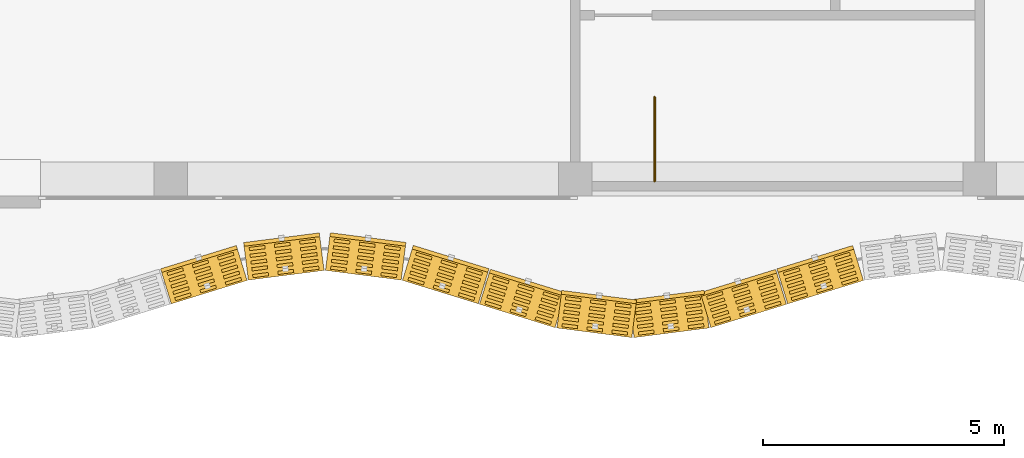
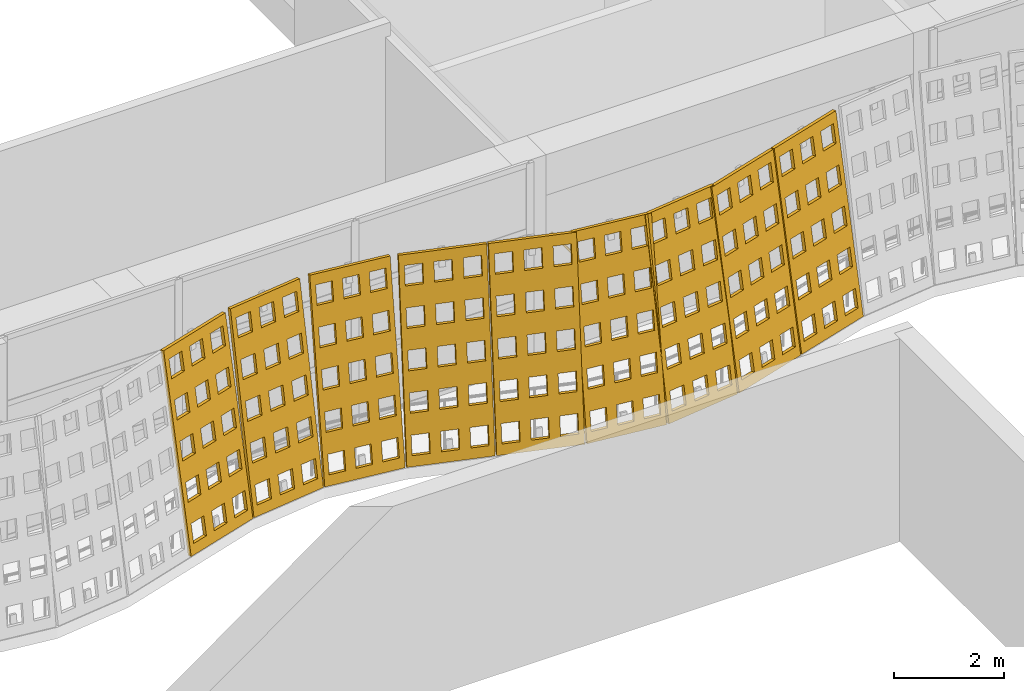
# One storey, part 149 of 162: 9 coverings, 1 railing.
"""IFC4 building model written with IfcOpenShell, lengths in metres."""

from ifc_helpers import new_model, si_unit, direction, frame, origin, origin_2d, place, context, subcontext, project, spatial, polyline, circle, outline, extrude, material, layer, layer_set, type_object, element, save


model = new_model("IFC4")

# Units and contexts
model_context = context("Model", 3, precision=1e-05, world=origin(), true_north=direction((0.0, 1.0)))
body_context = subcontext(model_context, "Body", "Model", "MODEL_VIEW")
ifc_project = project(units=[si_unit("LENGTHUNIT", "METRE"), si_unit("AREAUNIT", "SQUARE_METRE"), si_unit("VOLUMEUNIT", "CUBIC_METRE"), si_unit("PLANEANGLEUNIT", "RADIAN"), si_unit("MASSUNIT", "GRAM", prefix="KILO")], contexts=[model_context])

# Site, building, storey
site_placement = place(None, origin())
site = spatial("IfcSite", under=ifc_project, at=site_placement, CompositionType="ELEMENT")
building_placement = place(site_placement, origin())
building = spatial("IfcBuilding", under=site, at=building_placement, Name="Rain Tree Exposition and Congress Centre", CompositionType="ELEMENT")
storey_placement = place(building_placement, frame((0.0, 0.0, 6.0)))
storey = spatial("IfcBuildingStorey", under=building, at=storey_placement, Name="L01", CompositionType="ELEMENT", Elevation=6.0)

# Railing
ifc_material_1 = material(Name="Aluminium and glass balustrade", Category="aluminium")
railing_type = type_object("IfcRailingType", Name="Concourse guard 1100", PredefinedType="GUARDRAIL", material=ifc_material_1)
railing_placement = place(storey_placement, frame((211.64990234375, 75.550048828125, 0.0)))
element("IfcRailing", 1, at=railing_placement, inside=storey, type_object=railing_type, Name="L01 ST-C5 top well guard 1", PredefinedType="GUARDRAIL", context=body_context, shape_type="SweptSolid", body=[
    extrude(circle(Radius=0.02392578125, at=origin_2d()), frame((0.0, 0.0, 1.076171875), z_axis=(0.0, 1.0, 0.0), x_axis=(-1.0, 0.0, 0.0)), (0.0, 0.0, 1.0), 1.75),
    extrude(circle(Radius=0.02099609375, at=origin_2d()), origin(), (0.0, 0.0, 1.0), 1.052001953125),
    extrude(circle(Radius=0.02099609375, at=origin_2d()), frame((0.0, 0.875, 0.0)), (0.0, 0.0, 1.0), 1.052001953125),
    extrude(circle(Radius=0.02099609375, at=origin_2d()), frame((0.0, 1.75, 0.0)), (0.0, 0.0, 1.0), 1.052001953125),
])

# Coverings
ifc_material_2 = material(Name="Perforated terracotta", Category="masonry")
ifc_layer = layer(ifc_material_2, 0.080078125)
ifc_layer_set = layer_set([ifc_layer], Name="Perforated terracotta")
covering_type = type_object("IfcCoveringType", Name="Terracotta screen 80", PredefinedType="CLADDING", material=ifc_layer_set)
covering_1_placement = place(storey_placement, frame((201.599365234375, 73.001708984375, 0.0126953125), z_axis=(-0.290138898064, 0.943714942124, -0.158812870519), x_axis=(-0.955845867297, -0.293868470528, 0.0)))
element("IfcCovering", 2, at=covering_1_placement, inside=storey, type_object=covering_type, Name="concourse/screen/L01/127", PredefinedType="CLADDING", context=body_context, shape_type="SweptSolid", body=[
    extrude(outline(polyline([(-1.659912109375, 0.0), (-1.659912109375, 4.29150390625), (-0.014892578125, 4.29150390625), (-0.014892578125, 0.0), (-1.659912109375, 0.0)]), holes=[polyline([(-0.119140625, 0.221435546875), (-0.119140625, 0.63671875), (-0.458984375, 0.63671875), (-0.458984375, 0.221435546875), (-0.119140625, 0.221435546875)]), polyline([(-0.119140625, 1.079833984375), (-0.119140625, 1.4951171875), (-0.458984375, 1.4951171875), (-0.458984375, 1.079833984375), (-0.119140625, 1.079833984375)]), polyline([(-0.119140625, 1.93798828125), (-0.119140625, 2.353271484375), (-0.458984375, 2.353271484375), (-0.458984375, 1.93798828125), (-0.119140625, 1.93798828125)]), polyline([(-0.119140625, 2.79638671875), (-0.119140625, 3.211669921875), (-0.458984375, 3.211669921875), (-0.458984375, 2.79638671875), (-0.119140625, 2.79638671875)]), polyline([(-0.119140625, 3.654541015625), (-0.119140625, 4.06982421875), (-0.458984375, 4.06982421875), (-0.458984375, 3.654541015625), (-0.119140625, 3.654541015625)]), polyline([(-0.66748046875, 0.221435546875), (-0.66748046875, 0.63671875), (-1.00732421875, 0.63671875), (-1.00732421875, 0.221435546875), (-0.66748046875, 0.221435546875)]), polyline([(-0.66748046875, 1.079833984375), (-0.66748046875, 1.4951171875), (-1.00732421875, 1.4951171875), (-1.00732421875, 1.079833984375), (-0.66748046875, 1.079833984375)]), polyline([(-0.66748046875, 1.93798828125), (-0.66748046875, 2.353271484375), (-1.00732421875, 2.353271484375), (-1.00732421875, 1.93798828125), (-0.66748046875, 1.93798828125)]), polyline([(-0.66748046875, 2.79638671875), (-0.66748046875, 3.211669921875), (-1.00732421875, 3.211669921875), (-1.00732421875, 2.79638671875), (-0.66748046875, 2.79638671875)]), polyline([(-0.66748046875, 3.654541015625), (-0.66748046875, 4.06982421875), (-1.00732421875, 4.06982421875), (-1.00732421875, 3.654541015625), (-0.66748046875, 3.654541015625)]), polyline([(-1.2158203125, 0.221435546875), (-1.2158203125, 0.63671875), (-1.5556640625, 0.63671875), (-1.5556640625, 0.221435546875), (-1.2158203125, 0.221435546875)]), polyline([(-1.2158203125, 1.079833984375), (-1.2158203125, 1.4951171875), (-1.5556640625, 1.4951171875), (-1.5556640625, 1.079833984375), (-1.2158203125, 1.079833984375)]), polyline([(-1.2158203125, 1.93798828125), (-1.2158203125, 2.353271484375), (-1.5556640625, 2.353271484375), (-1.5556640625, 1.93798828125), (-1.2158203125, 1.93798828125)]), polyline([(-1.2158203125, 2.79638671875), (-1.2158203125, 3.211669921875), (-1.5556640625, 3.211669921875), (-1.5556640625, 2.79638671875), (-1.2158203125, 2.79638671875)]), polyline([(-1.2158203125, 3.654541015625), (-1.2158203125, 4.06982421875), (-1.5556640625, 4.06982421875), (-1.5556640625, 3.654541015625), (-1.2158203125, 3.654541015625)])]), origin(), (0.0, 0.0, 1.0), 0.079833984375),
])
covering_2_placement = place(storey_placement, frame((203.19970703125, 73.496826171875, 0.01318359375), z_axis=(-0.124968640969, 0.978413018317, -0.164592844203), x_axis=(-0.991941518713, -0.126696580272, 0.0)))
element("IfcCovering", 3, at=covering_2_placement, inside=storey, type_object=covering_type, Name="concourse/screen/L01/128", PredefinedType="CLADDING", context=body_context, shape_type="SweptSolid", body=[
    extrude(outline(polyline([(-1.59814453125, 0.0), (-1.59814453125, 4.295166015625), (-0.014892578125, 4.295166015625), (-0.014892578125, 0.0), (-1.59814453125, 0.0)]), holes=[polyline([(-0.115234375, 0.2216796875), (-0.115234375, 0.63720703125), (-0.4423828125, 0.63720703125), (-0.4423828125, 0.2216796875), (-0.115234375, 0.2216796875)]), polyline([(-0.115234375, 1.080810546875), (-0.115234375, 1.496337890625), (-0.4423828125, 1.496337890625), (-0.4423828125, 1.080810546875), (-0.115234375, 1.080810546875)]), polyline([(-0.115234375, 1.939697265625), (-0.115234375, 2.35546875), (-0.4423828125, 2.35546875), (-0.4423828125, 1.939697265625), (-0.115234375, 1.939697265625)]), polyline([(-0.115234375, 2.798583984375), (-0.115234375, 3.21435546875), (-0.4423828125, 3.21435546875), (-0.4423828125, 2.798583984375), (-0.115234375, 2.798583984375)]), polyline([(-0.115234375, 3.65771484375), (-0.115234375, 4.073486328125), (-0.4423828125, 4.073486328125), (-0.4423828125, 3.65771484375), (-0.115234375, 3.65771484375)]), polyline([(-0.64306640625, 0.2216796875), (-0.64306640625, 0.63720703125), (-0.97021484375, 0.63720703125), (-0.97021484375, 0.2216796875), (-0.64306640625, 0.2216796875)]), polyline([(-0.64306640625, 1.080810546875), (-0.64306640625, 1.496337890625), (-0.97021484375, 1.496337890625), (-0.97021484375, 1.080810546875), (-0.64306640625, 1.080810546875)]), polyline([(-0.64306640625, 1.939697265625), (-0.64306640625, 2.35546875), (-0.97021484375, 2.35546875), (-0.97021484375, 1.939697265625), (-0.64306640625, 1.939697265625)]), polyline([(-0.64306640625, 2.798583984375), (-0.64306640625, 3.21435546875), (-0.97021484375, 3.21435546875), (-0.97021484375, 2.798583984375), (-0.64306640625, 2.798583984375)]), polyline([(-0.64306640625, 3.65771484375), (-0.64306640625, 4.073486328125), (-0.97021484375, 4.073486328125), (-0.97021484375, 3.65771484375), (-0.64306640625, 3.65771484375)]), polyline([(-1.170654296875, 0.2216796875), (-1.170654296875, 0.63720703125), (-1.497802734375, 0.63720703125), (-1.497802734375, 0.2216796875), (-1.170654296875, 0.2216796875)]), polyline([(-1.170654296875, 1.080810546875), (-1.170654296875, 1.496337890625), (-1.497802734375, 1.496337890625), (-1.497802734375, 1.080810546875), (-1.170654296875, 1.080810546875)]), polyline([(-1.170654296875, 1.939697265625), (-1.170654296875, 2.35546875), (-1.497802734375, 2.35546875), (-1.497802734375, 1.939697265625), (-1.170654296875, 1.939697265625)]), polyline([(-1.170654296875, 2.798583984375), (-1.170654296875, 3.21435546875), (-1.497802734375, 3.21435546875), (-1.497802734375, 2.798583984375), (-1.170654296875, 2.798583984375)]), polyline([(-1.170654296875, 3.65771484375), (-1.170654296875, 4.073486328125), (-1.497802734375, 4.073486328125), (-1.497802734375, 3.65771484375), (-1.170654296875, 3.65771484375)])]), origin(), (0.0, 0.0, 1.0), 0.080078125),
])
covering_3_placement = place(storey_placement, frame((204.80029296875, 73.701904296875, 0.01318359375), z_axis=(0.125342414455, 0.978282259159, -0.165085131233), x_axis=(-0.991891686382, 0.127086122318, 0.0)))
element("IfcCovering", 4, at=covering_3_placement, inside=storey, type_object=covering_type, Name="concourse/screen/L01/129", PredefinedType="CLADDING", context=body_context, shape_type="SweptSolid", body=[
    extrude(outline(polyline([(-1.59814453125, 0.0), (-1.59814453125, 4.295166015625), (-0.014892578125, 4.295166015625), (-0.014892578125, 0.0), (-1.59814453125, 0.0)]), holes=[polyline([(-0.115234375, 0.2216796875), (-0.115234375, 0.63720703125), (-0.4423828125, 0.63720703125), (-0.4423828125, 0.2216796875), (-0.115234375, 0.2216796875)]), polyline([(-0.115234375, 1.080810546875), (-0.115234375, 1.496337890625), (-0.4423828125, 1.496337890625), (-0.4423828125, 1.080810546875), (-0.115234375, 1.080810546875)]), polyline([(-0.115234375, 1.939697265625), (-0.115234375, 2.35546875), (-0.4423828125, 2.35546875), (-0.4423828125, 1.939697265625), (-0.115234375, 1.939697265625)]), polyline([(-0.115234375, 2.798583984375), (-0.115234375, 3.21435546875), (-0.4423828125, 3.21435546875), (-0.4423828125, 2.798583984375), (-0.115234375, 2.798583984375)]), polyline([(-0.115234375, 3.65771484375), (-0.115234375, 4.073486328125), (-0.4423828125, 4.073486328125), (-0.4423828125, 3.65771484375), (-0.115234375, 3.65771484375)]), polyline([(-0.64306640625, 0.2216796875), (-0.64306640625, 0.63720703125), (-0.97021484375, 0.63720703125), (-0.97021484375, 0.2216796875), (-0.64306640625, 0.2216796875)]), polyline([(-0.64306640625, 1.080810546875), (-0.64306640625, 1.496337890625), (-0.97021484375, 1.496337890625), (-0.97021484375, 1.080810546875), (-0.64306640625, 1.080810546875)]), polyline([(-0.64306640625, 1.939697265625), (-0.64306640625, 2.35546875), (-0.97021484375, 2.35546875), (-0.97021484375, 1.939697265625), (-0.64306640625, 1.939697265625)]), polyline([(-0.64306640625, 2.798583984375), (-0.64306640625, 3.21435546875), (-0.97021484375, 3.21435546875), (-0.97021484375, 2.798583984375), (-0.64306640625, 2.798583984375)]), polyline([(-0.64306640625, 3.65771484375), (-0.64306640625, 4.073486328125), (-0.97021484375, 4.073486328125), (-0.97021484375, 3.65771484375), (-0.64306640625, 3.65771484375)]), polyline([(-1.170654296875, 0.2216796875), (-1.170654296875, 0.63720703125), (-1.497802734375, 0.63720703125), (-1.497802734375, 0.2216796875), (-1.170654296875, 0.2216796875)]), polyline([(-1.170654296875, 1.080810546875), (-1.170654296875, 1.496337890625), (-1.497802734375, 1.496337890625), (-1.497802734375, 1.080810546875), (-1.170654296875, 1.080810546875)]), polyline([(-1.170654296875, 1.939697265625), (-1.170654296875, 2.35546875), (-1.497802734375, 2.35546875), (-1.497802734375, 1.939697265625), (-1.170654296875, 1.939697265625)]), polyline([(-1.170654296875, 2.798583984375), (-1.170654296875, 3.21435546875), (-1.497802734375, 3.21435546875), (-1.497802734375, 2.798583984375), (-1.170654296875, 2.798583984375)]), polyline([(-1.170654296875, 3.65771484375), (-1.170654296875, 4.073486328125), (-1.497802734375, 4.073486328125), (-1.497802734375, 3.65771484375), (-1.170654296875, 3.65771484375)])]), origin(), (0.0, 0.0, 1.0), 0.079833984375),
])
covering_4_placement = place(storey_placement, frame((206.400634765625, 73.49658203125, 0.0126953125), z_axis=(0.290138898064, 0.943714942124, -0.158812870519), x_axis=(-0.955845867297, 0.293868470528, 0.0)))
element("IfcCovering", 5, at=covering_4_placement, inside=storey, type_object=covering_type, Name="concourse/screen/L01/130", PredefinedType="CLADDING", context=body_context, shape_type="SweptSolid", body=[
    extrude(outline(polyline([(-1.659912109375, 0.0), (-1.659912109375, 4.29150390625), (-0.014892578125, 4.29150390625), (-0.014892578125, 0.0), (-1.659912109375, 0.0)]), holes=[polyline([(-0.119140625, 0.221435546875), (-0.119140625, 0.63671875), (-0.458984375, 0.63671875), (-0.458984375, 0.221435546875), (-0.119140625, 0.221435546875)]), polyline([(-0.119140625, 1.079833984375), (-0.119140625, 1.4951171875), (-0.458984375, 1.4951171875), (-0.458984375, 1.079833984375), (-0.119140625, 1.079833984375)]), polyline([(-0.119140625, 1.93798828125), (-0.119140625, 2.353271484375), (-0.458984375, 2.353271484375), (-0.458984375, 1.93798828125), (-0.119140625, 1.93798828125)]), polyline([(-0.119140625, 2.79638671875), (-0.119140625, 3.211669921875), (-0.458984375, 3.211669921875), (-0.458984375, 2.79638671875), (-0.119140625, 2.79638671875)]), polyline([(-0.119140625, 3.654541015625), (-0.119140625, 4.06982421875), (-0.458984375, 4.06982421875), (-0.458984375, 3.654541015625), (-0.119140625, 3.654541015625)]), polyline([(-0.66748046875, 0.221435546875), (-0.66748046875, 0.63671875), (-1.00732421875, 0.63671875), (-1.00732421875, 0.221435546875), (-0.66748046875, 0.221435546875)]), polyline([(-0.66748046875, 1.079833984375), (-0.66748046875, 1.4951171875), (-1.00732421875, 1.4951171875), (-1.00732421875, 1.079833984375), (-0.66748046875, 1.079833984375)]), polyline([(-0.66748046875, 1.93798828125), (-0.66748046875, 2.353271484375), (-1.00732421875, 2.353271484375), (-1.00732421875, 1.93798828125), (-0.66748046875, 1.93798828125)]), polyline([(-0.66748046875, 2.79638671875), (-0.66748046875, 3.211669921875), (-1.00732421875, 3.211669921875), (-1.00732421875, 2.79638671875), (-0.66748046875, 2.79638671875)]), polyline([(-0.66748046875, 3.654541015625), (-0.66748046875, 4.06982421875), (-1.00732421875, 4.06982421875), (-1.00732421875, 3.654541015625), (-0.66748046875, 3.654541015625)]), polyline([(-1.2158203125, 0.221435546875), (-1.2158203125, 0.63671875), (-1.5556640625, 0.63671875), (-1.5556640625, 0.221435546875), (-1.2158203125, 0.221435546875)]), polyline([(-1.2158203125, 1.079833984375), (-1.2158203125, 1.4951171875), (-1.5556640625, 1.4951171875), (-1.5556640625, 1.079833984375), (-1.2158203125, 1.079833984375)]), polyline([(-1.2158203125, 1.93798828125), (-1.2158203125, 2.353271484375), (-1.5556640625, 2.353271484375), (-1.5556640625, 1.93798828125), (-1.2158203125, 1.93798828125)]), polyline([(-1.2158203125, 2.79638671875), (-1.2158203125, 3.211669921875), (-1.5556640625, 3.211669921875), (-1.5556640625, 2.79638671875), (-1.2158203125, 2.79638671875)]), polyline([(-1.2158203125, 3.654541015625), (-1.2158203125, 4.06982421875), (-1.5556640625, 4.06982421875), (-1.5556640625, 3.654541015625), (-1.2158203125, 3.654541015625)])]), origin(), (0.0, 0.0, 1.0), 0.079833984375),
])
covering_5_placement = place(storey_placement, frame((208.00048828125, 73.001708984375, 0.0126953125), z_axis=(0.292932171154, 0.942875425902, -0.158671592708), x_axis=(-0.954973588716, 0.296690823679, 0.0)))
element("IfcCovering", 6, at=covering_5_placement, inside=storey, type_object=covering_type, Name="concourse/screen/L01/131", PredefinedType="CLADDING", context=body_context, shape_type="SweptSolid", body=[
    extrude(outline(polyline([(-1.65283203125, 0.0), (-1.65283203125, 4.29150390625), (-0.014892578125, 4.29150390625), (-0.014892578125, 0.0), (-1.65283203125, 0.0)]), holes=[polyline([(-0.11865234375, 0.221435546875), (-0.11865234375, 0.63671875), (-0.457275390625, 0.63671875), (-0.457275390625, 0.221435546875), (-0.11865234375, 0.221435546875)]), polyline([(-0.11865234375, 1.079833984375), (-0.11865234375, 1.4951171875), (-0.457275390625, 1.4951171875), (-0.457275390625, 1.079833984375), (-0.11865234375, 1.079833984375)]), polyline([(-0.11865234375, 1.93798828125), (-0.11865234375, 2.353271484375), (-0.457275390625, 2.353271484375), (-0.457275390625, 1.93798828125), (-0.11865234375, 1.93798828125)]), polyline([(-0.11865234375, 2.79638671875), (-0.11865234375, 3.211669921875), (-0.457275390625, 3.211669921875), (-0.457275390625, 2.79638671875), (-0.11865234375, 2.79638671875)]), polyline([(-0.11865234375, 3.654541015625), (-0.11865234375, 4.06982421875), (-0.457275390625, 4.06982421875), (-0.457275390625, 3.654541015625), (-0.11865234375, 3.654541015625)]), polyline([(-0.664794921875, 0.221435546875), (-0.664794921875, 0.63671875), (-1.003173828125, 0.63671875), (-1.003173828125, 0.221435546875), (-0.664794921875, 0.221435546875)]), polyline([(-0.664794921875, 1.079833984375), (-0.664794921875, 1.4951171875), (-1.003173828125, 1.4951171875), (-1.003173828125, 1.079833984375), (-0.664794921875, 1.079833984375)]), polyline([(-0.664794921875, 1.93798828125), (-0.664794921875, 2.353271484375), (-1.003173828125, 2.353271484375), (-1.003173828125, 1.93798828125), (-0.664794921875, 1.93798828125)]), polyline([(-0.664794921875, 2.79638671875), (-0.664794921875, 3.211669921875), (-1.003173828125, 3.211669921875), (-1.003173828125, 2.79638671875), (-0.664794921875, 2.79638671875)]), polyline([(-0.664794921875, 3.654541015625), (-0.664794921875, 4.06982421875), (-1.003173828125, 4.06982421875), (-1.003173828125, 3.654541015625), (-0.664794921875, 3.654541015625)]), polyline([(-1.210693359375, 0.221435546875), (-1.210693359375, 0.63671875), (-1.54931640625, 0.63671875), (-1.54931640625, 0.221435546875), (-1.210693359375, 0.221435546875)]), polyline([(-1.210693359375, 1.079833984375), (-1.210693359375, 1.4951171875), (-1.54931640625, 1.4951171875), (-1.54931640625, 1.079833984375), (-1.210693359375, 1.079833984375)]), polyline([(-1.210693359375, 1.93798828125), (-1.210693359375, 2.353271484375), (-1.54931640625, 2.353271484375), (-1.54931640625, 1.93798828125), (-1.210693359375, 1.93798828125)]), polyline([(-1.210693359375, 2.79638671875), (-1.210693359375, 3.211669921875), (-1.54931640625, 3.211669921875), (-1.54931640625, 2.79638671875), (-1.210693359375, 2.79638671875)]), polyline([(-1.210693359375, 3.654541015625), (-1.210693359375, 4.06982421875), (-1.54931640625, 4.06982421875), (-1.54931640625, 3.654541015625), (-1.210693359375, 3.654541015625)])]), origin(), (0.0, 0.0, 1.0), 0.080078125),
])
covering_6_placement = place(storey_placement, frame((209.600341796875, 72.5068359375, 0.01318359375), z_axis=(0.124968640969, 0.978413018317, -0.164592844203), x_axis=(-0.991941518713, 0.126696580272, 0.0)))
element("IfcCovering", 7, at=covering_6_placement, inside=storey, type_object=covering_type, Name="concourse/screen/L01/132", PredefinedType="CLADDING", context=body_context, shape_type="SweptSolid", body=[
    extrude(outline(polyline([(-1.587890625, 0.0), (-1.587890625, 4.295166015625), (-0.02197265625, 4.295166015625), (-0.02197265625, 0.0), (-1.587890625, 0.0)]), holes=[polyline([(-0.12109375, 0.2216796875), (-0.12109375, 0.63720703125), (-0.444580078125, 0.63720703125), (-0.444580078125, 0.2216796875), (-0.12109375, 0.2216796875)]), polyline([(-0.12109375, 1.080810546875), (-0.12109375, 1.496337890625), (-0.444580078125, 1.496337890625), (-0.444580078125, 1.080810546875), (-0.12109375, 1.080810546875)]), polyline([(-0.12109375, 1.939697265625), (-0.12109375, 2.35546875), (-0.444580078125, 2.35546875), (-0.444580078125, 1.939697265625), (-0.12109375, 1.939697265625)]), polyline([(-0.12109375, 2.798583984375), (-0.12109375, 3.21435546875), (-0.444580078125, 3.21435546875), (-0.444580078125, 2.798583984375), (-0.12109375, 2.798583984375)]), polyline([(-0.12109375, 3.65771484375), (-0.12109375, 4.073486328125), (-0.444580078125, 4.073486328125), (-0.444580078125, 3.65771484375), (-0.12109375, 3.65771484375)]), polyline([(-0.64306640625, 0.2216796875), (-0.64306640625, 0.63720703125), (-0.966796875, 0.63720703125), (-0.966796875, 0.2216796875), (-0.64306640625, 0.2216796875)]), polyline([(-0.64306640625, 1.080810546875), (-0.64306640625, 1.496337890625), (-0.966796875, 1.496337890625), (-0.966796875, 1.080810546875), (-0.64306640625, 1.080810546875)]), polyline([(-0.64306640625, 1.939697265625), (-0.64306640625, 2.35546875), (-0.966796875, 2.35546875), (-0.966796875, 1.939697265625), (-0.64306640625, 1.939697265625)]), polyline([(-0.64306640625, 2.798583984375), (-0.64306640625, 3.21435546875), (-0.966796875, 3.21435546875), (-0.966796875, 2.798583984375), (-0.64306640625, 2.798583984375)]), polyline([(-0.64306640625, 3.65771484375), (-0.64306640625, 4.073486328125), (-0.966796875, 4.073486328125), (-0.966796875, 3.65771484375), (-0.64306640625, 3.65771484375)]), polyline([(-1.1650390625, 0.2216796875), (-1.1650390625, 0.63720703125), (-1.48876953125, 0.63720703125), (-1.48876953125, 0.2216796875), (-1.1650390625, 0.2216796875)]), polyline([(-1.1650390625, 1.080810546875), (-1.1650390625, 1.496337890625), (-1.48876953125, 1.496337890625), (-1.48876953125, 1.080810546875), (-1.1650390625, 1.080810546875)]), polyline([(-1.1650390625, 1.939697265625), (-1.1650390625, 2.35546875), (-1.48876953125, 2.35546875), (-1.48876953125, 1.939697265625), (-1.1650390625, 1.939697265625)]), polyline([(-1.1650390625, 2.798583984375), (-1.1650390625, 3.21435546875), (-1.48876953125, 3.21435546875), (-1.48876953125, 2.798583984375), (-1.1650390625, 2.798583984375)]), polyline([(-1.1650390625, 3.65771484375), (-1.1650390625, 4.073486328125), (-1.48876953125, 4.073486328125), (-1.48876953125, 3.65771484375), (-1.1650390625, 3.65771484375)])]), origin(), (0.0, 0.0, 1.0), 0.080078125),
])
covering_7_placement = place(storey_placement, frame((211.19970703125, 72.302001953125, 0.01318359375), z_axis=(-0.125342414455, 0.978282259159, -0.165085131233), x_axis=(-0.991891686382, -0.127086122318, 0.0)))
element("IfcCovering", 8, at=covering_7_placement, inside=storey, type_object=covering_type, Name="concourse/screen/L01/133", PredefinedType="CLADDING", context=body_context, shape_type="SweptSolid", body=[
    extrude(outline(polyline([(-1.59130859375, 0.0), (-1.59130859375, 4.295166015625), (-0.025146484375, 4.295166015625), (-0.025146484375, 0.0), (-1.59130859375, 0.0)]), holes=[polyline([(-0.12451171875, 0.2216796875), (-0.12451171875, 0.63720703125), (-0.447998046875, 0.63720703125), (-0.447998046875, 0.2216796875), (-0.12451171875, 0.2216796875)]), polyline([(-0.12451171875, 1.080810546875), (-0.12451171875, 1.496337890625), (-0.447998046875, 1.496337890625), (-0.447998046875, 1.080810546875), (-0.12451171875, 1.080810546875)]), polyline([(-0.12451171875, 1.939697265625), (-0.12451171875, 2.35546875), (-0.447998046875, 2.35546875), (-0.447998046875, 1.939697265625), (-0.12451171875, 1.939697265625)]), polyline([(-0.12451171875, 2.798583984375), (-0.12451171875, 3.21435546875), (-0.447998046875, 3.21435546875), (-0.447998046875, 2.798583984375), (-0.12451171875, 2.798583984375)]), polyline([(-0.12451171875, 3.65771484375), (-0.12451171875, 4.073486328125), (-0.447998046875, 4.073486328125), (-0.447998046875, 3.65771484375), (-0.12451171875, 3.65771484375)]), polyline([(-0.646484375, 0.2216796875), (-0.646484375, 0.63720703125), (-0.969970703125, 0.63720703125), (-0.969970703125, 0.2216796875), (-0.646484375, 0.2216796875)]), polyline([(-0.646484375, 1.080810546875), (-0.646484375, 1.496337890625), (-0.969970703125, 1.496337890625), (-0.969970703125, 1.080810546875), (-0.646484375, 1.080810546875)]), polyline([(-0.646484375, 1.939697265625), (-0.646484375, 2.35546875), (-0.969970703125, 2.35546875), (-0.969970703125, 1.939697265625), (-0.646484375, 1.939697265625)]), polyline([(-0.646484375, 2.798583984375), (-0.646484375, 3.21435546875), (-0.969970703125, 3.21435546875), (-0.969970703125, 2.798583984375), (-0.646484375, 2.798583984375)]), polyline([(-0.646484375, 3.65771484375), (-0.646484375, 4.073486328125), (-0.969970703125, 4.073486328125), (-0.969970703125, 3.65771484375), (-0.646484375, 3.65771484375)]), polyline([(-1.16845703125, 0.2216796875), (-1.16845703125, 0.63720703125), (-1.491943359375, 0.63720703125), (-1.491943359375, 0.2216796875), (-1.16845703125, 0.2216796875)]), polyline([(-1.16845703125, 1.080810546875), (-1.16845703125, 1.496337890625), (-1.491943359375, 1.496337890625), (-1.491943359375, 1.080810546875), (-1.16845703125, 1.080810546875)]), polyline([(-1.16845703125, 1.939697265625), (-1.16845703125, 2.35546875), (-1.491943359375, 2.35546875), (-1.491943359375, 1.939697265625), (-1.16845703125, 1.939697265625)]), polyline([(-1.16845703125, 2.798583984375), (-1.16845703125, 3.21435546875), (-1.491943359375, 3.21435546875), (-1.491943359375, 2.798583984375), (-1.16845703125, 2.798583984375)]), polyline([(-1.16845703125, 3.65771484375), (-1.16845703125, 4.073486328125), (-1.491943359375, 4.073486328125), (-1.491943359375, 3.65771484375), (-1.16845703125, 3.65771484375)])]), origin(), (0.0, 0.0, 1.0), 0.079833984375),
])
covering_8_placement = place(storey_placement, frame((212.79931640625, 72.506591796875, 0.0126953125), z_axis=(-0.290138898064, 0.943714942124, -0.158812870519), x_axis=(-0.955845867297, -0.293868470528, 0.0)))
element("IfcCovering", 9, at=covering_8_placement, inside=storey, type_object=covering_type, Name="concourse/screen/L01/134", PredefinedType="CLADDING", context=body_context, shape_type="SweptSolid", body=[
    extrude(outline(polyline([(-1.659912109375, 0.0), (-1.659912109375, 4.29150390625), (-0.02197265625, 4.29150390625), (-0.02197265625, 0.0), (-1.659912109375, 0.0)]), holes=[polyline([(-0.125732421875, 0.221435546875), (-0.125732421875, 0.63671875), (-0.464111328125, 0.63671875), (-0.464111328125, 0.221435546875), (-0.125732421875, 0.221435546875)]), polyline([(-0.125732421875, 1.079833984375), (-0.125732421875, 1.4951171875), (-0.464111328125, 1.4951171875), (-0.464111328125, 1.079833984375), (-0.125732421875, 1.079833984375)]), polyline([(-0.125732421875, 1.93798828125), (-0.125732421875, 2.353271484375), (-0.464111328125, 2.353271484375), (-0.464111328125, 1.93798828125), (-0.125732421875, 1.93798828125)]), polyline([(-0.125732421875, 2.79638671875), (-0.125732421875, 3.211669921875), (-0.464111328125, 3.211669921875), (-0.464111328125, 2.79638671875), (-0.125732421875, 2.79638671875)]), polyline([(-0.125732421875, 3.654541015625), (-0.125732421875, 4.06982421875), (-0.464111328125, 4.06982421875), (-0.464111328125, 3.654541015625), (-0.125732421875, 3.654541015625)]), polyline([(-0.671630859375, 0.221435546875), (-0.671630859375, 0.63671875), (-1.010009765625, 0.63671875), (-1.010009765625, 0.221435546875), (-0.671630859375, 0.221435546875)]), polyline([(-0.671630859375, 1.079833984375), (-0.671630859375, 1.4951171875), (-1.010009765625, 1.4951171875), (-1.010009765625, 1.079833984375), (-0.671630859375, 1.079833984375)]), polyline([(-0.671630859375, 1.93798828125), (-0.671630859375, 2.353271484375), (-1.010009765625, 2.353271484375), (-1.010009765625, 1.93798828125), (-0.671630859375, 1.93798828125)]), polyline([(-0.671630859375, 2.79638671875), (-0.671630859375, 3.211669921875), (-1.010009765625, 3.211669921875), (-1.010009765625, 2.79638671875), (-0.671630859375, 2.79638671875)]), polyline([(-0.671630859375, 3.654541015625), (-0.671630859375, 4.06982421875), (-1.010009765625, 4.06982421875), (-1.010009765625, 3.654541015625), (-0.671630859375, 3.654541015625)]), polyline([(-1.217529296875, 0.221435546875), (-1.217529296875, 0.63671875), (-1.55615234375, 0.63671875), (-1.55615234375, 0.221435546875), (-1.217529296875, 0.221435546875)]), polyline([(-1.217529296875, 1.079833984375), (-1.217529296875, 1.4951171875), (-1.55615234375, 1.4951171875), (-1.55615234375, 1.079833984375), (-1.217529296875, 1.079833984375)]), polyline([(-1.217529296875, 1.93798828125), (-1.217529296875, 2.353271484375), (-1.55615234375, 2.353271484375), (-1.55615234375, 1.93798828125), (-1.217529296875, 1.93798828125)]), polyline([(-1.217529296875, 2.79638671875), (-1.217529296875, 3.211669921875), (-1.55615234375, 3.211669921875), (-1.55615234375, 2.79638671875), (-1.217529296875, 2.79638671875)]), polyline([(-1.217529296875, 3.654541015625), (-1.217529296875, 4.06982421875), (-1.55615234375, 4.06982421875), (-1.55615234375, 3.654541015625), (-1.217529296875, 3.654541015625)])]), origin(), (0.0, 0.0, 1.0), 0.079833984375),
])
covering_9_placement = place(storey_placement, frame((214.3994140625, 73.001708984375, 0.0126953125), z_axis=(-0.290138898064, 0.943714942124, -0.158812870519), x_axis=(-0.955845867297, -0.293868470528, 0.0)))
element("IfcCovering", 10, at=covering_9_placement, inside=storey, type_object=covering_type, Name="concourse/screen/L01/135", PredefinedType="CLADDING", context=body_context, shape_type="SweptSolid", body=[
    extrude(outline(polyline([(-1.659912109375, 0.0), (-1.659912109375, 4.29150390625), (-0.014892578125, 4.29150390625), (-0.014892578125, 0.0), (-1.659912109375, 0.0)]), holes=[polyline([(-0.119140625, 0.221435546875), (-0.119140625, 0.63671875), (-0.458984375, 0.63671875), (-0.458984375, 0.221435546875), (-0.119140625, 0.221435546875)]), polyline([(-0.119140625, 1.079833984375), (-0.119140625, 1.4951171875), (-0.458984375, 1.4951171875), (-0.458984375, 1.079833984375), (-0.119140625, 1.079833984375)]), polyline([(-0.119140625, 1.93798828125), (-0.119140625, 2.353271484375), (-0.458984375, 2.353271484375), (-0.458984375, 1.93798828125), (-0.119140625, 1.93798828125)]), polyline([(-0.119140625, 2.79638671875), (-0.119140625, 3.211669921875), (-0.458984375, 3.211669921875), (-0.458984375, 2.79638671875), (-0.119140625, 2.79638671875)]), polyline([(-0.119140625, 3.654541015625), (-0.119140625, 4.06982421875), (-0.458984375, 4.06982421875), (-0.458984375, 3.654541015625), (-0.119140625, 3.654541015625)]), polyline([(-0.66748046875, 0.221435546875), (-0.66748046875, 0.63671875), (-1.00732421875, 0.63671875), (-1.00732421875, 0.221435546875), (-0.66748046875, 0.221435546875)]), polyline([(-0.66748046875, 1.079833984375), (-0.66748046875, 1.4951171875), (-1.00732421875, 1.4951171875), (-1.00732421875, 1.079833984375), (-0.66748046875, 1.079833984375)]), polyline([(-0.66748046875, 1.93798828125), (-0.66748046875, 2.353271484375), (-1.00732421875, 2.353271484375), (-1.00732421875, 1.93798828125), (-0.66748046875, 1.93798828125)]), polyline([(-0.66748046875, 2.79638671875), (-0.66748046875, 3.211669921875), (-1.00732421875, 3.211669921875), (-1.00732421875, 2.79638671875), (-0.66748046875, 2.79638671875)]), polyline([(-0.66748046875, 3.654541015625), (-0.66748046875, 4.06982421875), (-1.00732421875, 4.06982421875), (-1.00732421875, 3.654541015625), (-0.66748046875, 3.654541015625)]), polyline([(-1.2158203125, 0.221435546875), (-1.2158203125, 0.63671875), (-1.5556640625, 0.63671875), (-1.5556640625, 0.221435546875), (-1.2158203125, 0.221435546875)]), polyline([(-1.2158203125, 1.079833984375), (-1.2158203125, 1.4951171875), (-1.5556640625, 1.4951171875), (-1.5556640625, 1.079833984375), (-1.2158203125, 1.079833984375)]), polyline([(-1.2158203125, 1.93798828125), (-1.2158203125, 2.353271484375), (-1.5556640625, 2.353271484375), (-1.5556640625, 1.93798828125), (-1.2158203125, 1.93798828125)]), polyline([(-1.2158203125, 2.79638671875), (-1.2158203125, 3.211669921875), (-1.5556640625, 3.211669921875), (-1.5556640625, 2.79638671875), (-1.2158203125, 2.79638671875)]), polyline([(-1.2158203125, 3.654541015625), (-1.2158203125, 4.06982421875), (-1.5556640625, 4.06982421875), (-1.5556640625, 3.654541015625), (-1.2158203125, 3.654541015625)])]), origin(), (0.0, 0.0, 1.0), 0.079833984375),
])

save(model, "model.ifc")
